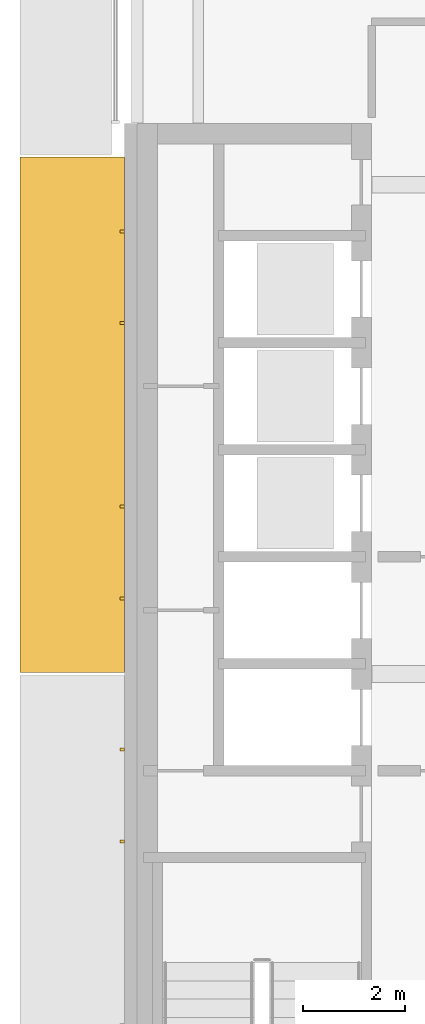
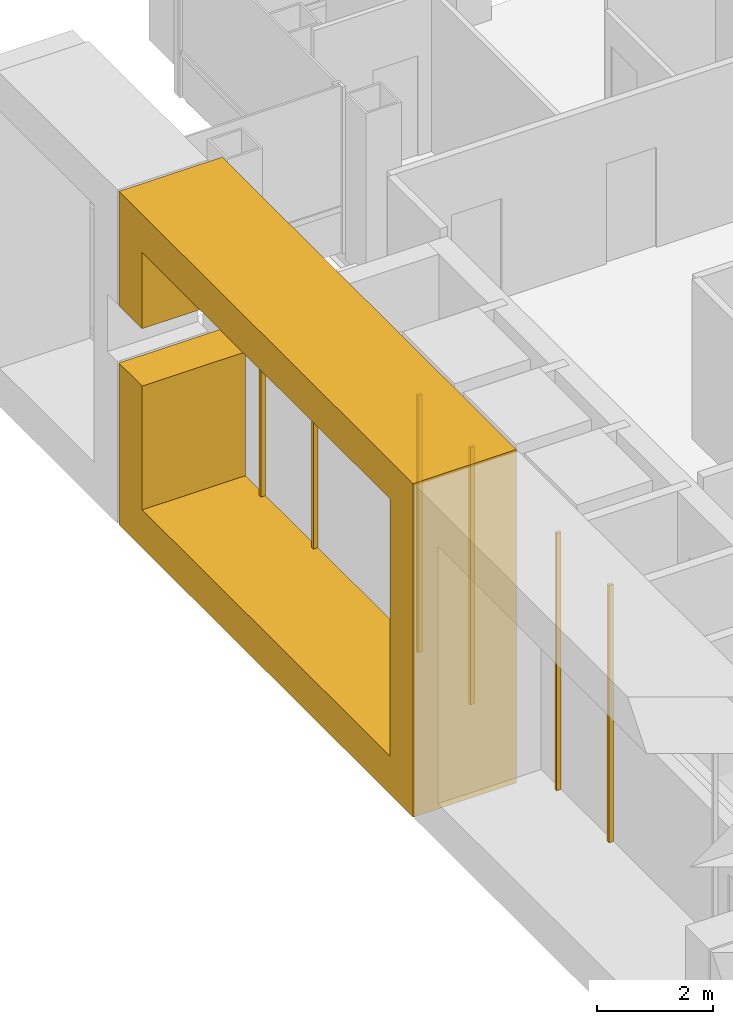
# One storey, part 15 of 19: 7 coverings.
"""IFC4 building model written with IfcOpenShell, lengths in metres."""

from ifc_helpers import new_model, si_unit, direction, frame, origin, origin_2d, place, context, subcontext, project, spatial, polyline, rectangle, outline, extrude, material, type_object, element, save


model = new_model("IFC4")

# Units and contexts
model_context = context("Model", 3, precision=1e-05, world=origin(), true_north=direction((0.0, 1.0)))
body_context = subcontext(model_context, "Body", "Model", "MODEL_VIEW")
ifc_project = project(units=[si_unit("LENGTHUNIT", "METRE"), si_unit("AREAUNIT", "SQUARE_METRE"), si_unit("VOLUMEUNIT", "CUBIC_METRE"), si_unit("PLANEANGLEUNIT", "RADIAN"), si_unit("MASSUNIT", "GRAM", prefix="KILO")], contexts=[model_context])

# Site, building, storey
site_placement = place(None, origin())
site = spatial("IfcSite", under=ifc_project, at=site_placement, CompositionType="ELEMENT")
building_placement = place(site_placement, origin())
building = spatial("IfcBuilding", under=site, at=building_placement, Name="Cobrizo Arcos Hotel Tower", CompositionType="ELEMENT")
storey_placement = place(building_placement, frame((0.0, 0.0, 205.0)))
storey = spatial("IfcBuildingStorey", under=building, at=storey_placement, Name="L53", CompositionType="ELEMENT", Elevation=205.0)

# Coverings
ifc_material_1 = material(Name="Aluminium 6063-T6 anodised bronze", Category="aluminium")
covering_type_1 = type_object("IfcCoveringType", Name="FIN-F 2050", PredefinedType="CLADDING", material=ifc_material_1)
covering_placement = place(storey_placement, frame((-20.64990234375, 10.1416015625, 0.0), z_axis=(-1.0, 0.0, 0.0), x_axis=(0.0, -1.0, 0.0)))
element("IfcCovering", 1, at=covering_placement, inside=storey, type_object=covering_type_1, Name="Fin frame 350", PredefinedType="CLADDING", context=body_context, shape_type="SweptSolid", body=[
    extrude(outline(polyline([(0.0, 7.0), (0.0, 4.60205078125), (0.800048828125, 4.60205078125), (0.800048828125, 6.199951171875), (9.316650390625, 6.199951171875), (9.316650390625, 0.800048828125), (0.800048828125, 0.800048828125), (0.800048828125, 3.39794921875), (0.0, 3.39794921875), (0.0, 0.0), (10.11669921875, 0.0), (10.11669921875, 7.0), (0.0, 7.0)])), origin(), (0.0, 0.0, 1.0), 2.050048828125),
])
ifc_material_2 = material(Name="Aluminium 6063-T6 anodised pale", Category="aluminium")
covering_type_2 = type_object("IfcCoveringType", Name="RS-1 rainscreen rib 60x90", PredefinedType="CLADDING", material=ifc_material_2)
for number, where, z_axis, x_axis, name in (
    (2, (-20.695068359375, 8.683349609375, 0.800048828125), (0.0, 0.0, 1.0), (0.0, -1.0, 0.0), "Rainscreen rib 225"),
    (3, (-20.695068359375, 6.88330078125, 0.800048828125), (0.0, 0.0, 1.0), (0.0, -1.0, 0.0), "Rainscreen rib 226"),
    (4, (-20.695068359375, 3.283447265625, 0.800048828125), (0.0, 0.0, 1.0), (0.0, -1.0, 0.0), "Rainscreen rib 227"),
    (5, (-20.695068359375, 1.4833984375, 0.800048828125), (0.0, 0.0, 1.0), (0.0, -1.0, 0.0), "Rainscreen rib 228"),
    (6, (-20.695068359375, -1.4833984375, 0.800048828125), (0.0, 0.0, 1.0), (0.0, -1.0, 0.0), "Rainscreen rib 229"),
    (7, (-20.695068359375, -3.283447265625, 0.800048828125), (0.0, 0.0, 1.0), (0.0, -1.0, 0.0), "Rainscreen rib 230"),
):
    element("IfcCovering", number, at=place(storey_placement, frame(where, z_axis=z_axis, x_axis=x_axis)), inside=storey, type_object=covering_type_2, Name=name, PredefinedType="CLADDING", context=body_context, shape_type="SweptSolid", body=[
        extrude(rectangle(XDim=0.06005859375, YDim=0.090087890625, at=origin_2d()), origin(), (0.0, 0.0, 1.0), 5.39990234375),
    ])

save(model, "model.ifc")
